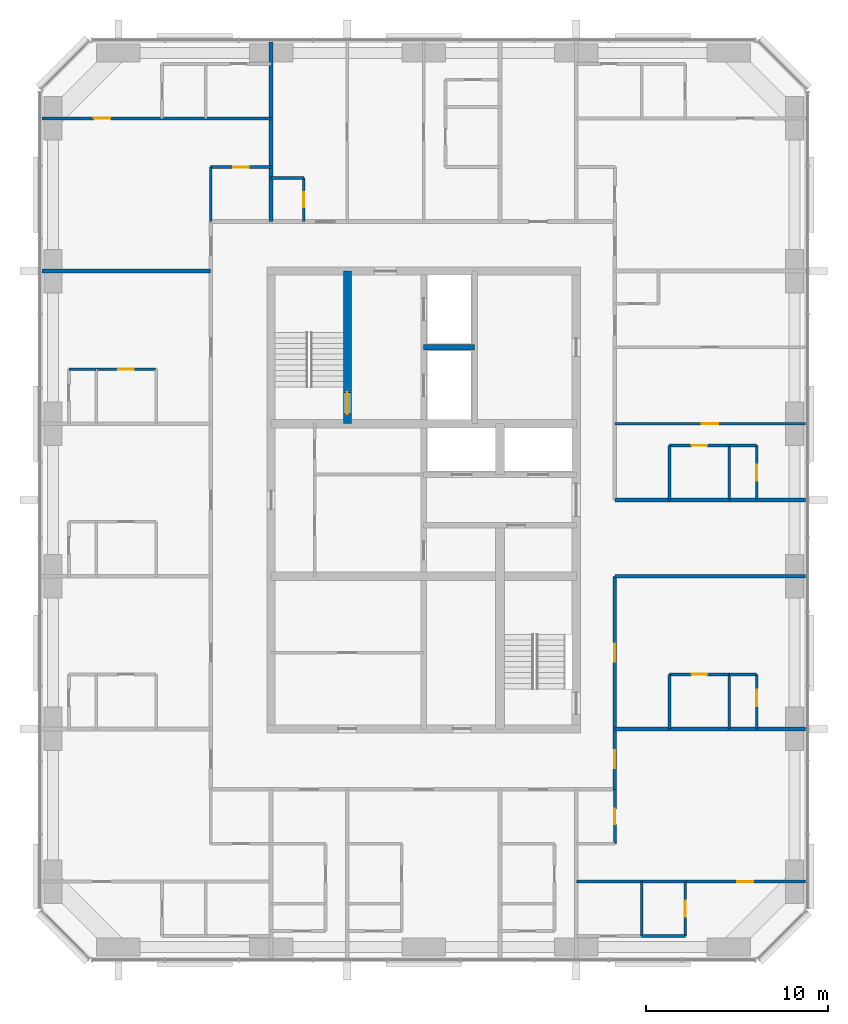
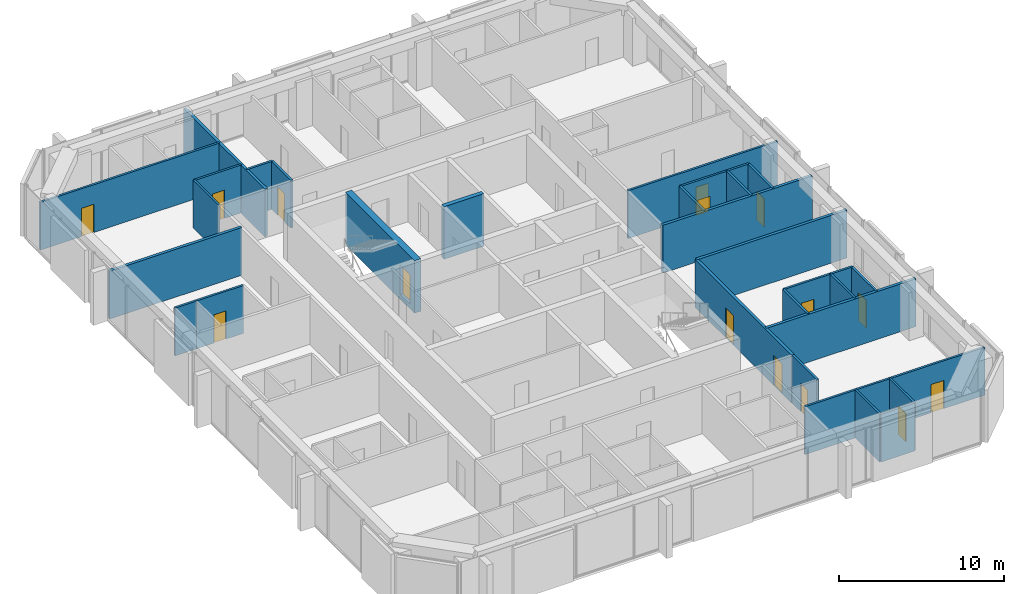
# One storey, part 9 of 12: 31 walls, 15 doors, 15 openings.
"""IFC4 building model written with IfcOpenShell, lengths in metres."""

from ifc_helpers import new_model, si_unit, direction, frame, frame_2d, origin, place, context, subcontext, project, spatial, rectangle, extrude, material, layer, layer_set, type_object, element, fill, save


model = new_model("IFC4")

# Units and contexts
model_context = context("Model", 3, precision=1e-05, world=origin(), true_north=direction((0.0, 1.0)))
body_context = subcontext(model_context, "Body", "Model", "MODEL_VIEW")
ifc_project = project(units=[si_unit("LENGTHUNIT", "METRE"), si_unit("AREAUNIT", "SQUARE_METRE"), si_unit("VOLUMEUNIT", "CUBIC_METRE"), si_unit("PLANEANGLEUNIT", "RADIAN"), si_unit("MASSUNIT", "GRAM", prefix="KILO")], contexts=[model_context])

# Site, building, storey
site_placement = place(None, origin())
site = spatial("IfcSite", under=ifc_project, at=site_placement, CompositionType="ELEMENT")
building_placement = place(site_placement, origin())
building = spatial("IfcBuilding", under=site, at=building_placement, Name="Dunama Terrace Hotel", CompositionType="ELEMENT")
storey_placement = place(building_placement, frame((0.0, 0.0, 245.10009765625)))
storey = spatial("IfcBuildingStorey", under=building, at=storey_placement, Name="L63", CompositionType="ELEMENT", Elevation=245.10009765625)

# Wall
ifc_material_1 = material(Name="Gypsum board partition", Category="masonry")
ifc_layer_1 = layer(ifc_material_1, 0.14990234375)
ifc_layer_set_1 = layer_set([ifc_layer_1], Name="Bathroom partition 150")
wall_type_1 = type_object("IfcWallType", Name="Bathroom partition 150", PredefinedType="PARTITIONING", material=ifc_layer_set_1)
wall_1_placement = place(storey_placement, frame((21.875, 44.72509765625, 0.0), z_axis=(0.0, 0.0, 1.0), x_axis=(0.0, 1.0, 0.0)))
element("IfcWall", 1, at=wall_1_placement, inside=storey, type_object=wall_type_1, Name="Bathroom partition 150 L63", PredefinedType="PARTITIONING", context=body_context, shape_type="SweptSolid", body=[
    extrude(rectangle(XDim=3.0, YDim=0.14990234375, at=frame_2d((1.5, 0.0))), origin(), (0.0, 0.0, 1.0), 3.5498046875),
])

# Wall, opening, door
wall_2_placement = place(storey_placement, frame((27.0, 44.72509765625, 0.0), z_axis=(0.0, 0.0, 1.0), x_axis=(0.0, 1.0, 0.0)))
wall_2 = element("IfcWall", 2, at=wall_2_placement, inside=storey, type_object=wall_type_1, Name="Bathroom partition 150 L63", PredefinedType="PARTITIONING", context=body_context, shape_type="SweptSolid", body=[
    extrude(rectangle(XDim=2.39990234375, YDim=0.14990234375, at=frame_2d((1.199951171875, 0.0))), origin(), (0.0, 0.0, 1.0), 3.5498046875),
])
opening_1_placement = place(wall_2_placement, frame((0.77490234375, 0.0, 0.0)))
opening_1 = element("IfcOpeningElement", 3, at=opening_1_placement, cuts=wall_2, Name="Opening L62-64-026", PredefinedType="OPENING", context=body_context, shape_type="SweptSolid", body=[
    extrude(rectangle(XDim=0.85009765625, YDim=2.10009765625, at=frame_2d((0.425048828125, 1.050048828125))), frame((0.0, 0.0849609375, 0.0), z_axis=(0.0, -1.0, 0.0), x_axis=(1.0, 0.0, 0.0)), (0.0, 0.0, 1.0), 0.169921875),
])
ifc_material_2 = material(Name="Timber door with steel frame", Category="steel")
door_type_1 = type_object("IfcDoorType", Name="Bathroom door 850", OperationType="SINGLE_SWING_LEFT", PredefinedType="DOOR", material=ifc_material_2)
door_1_placement = place(opening_1_placement, origin())
door_1 = element("IfcDoor", 4, at=door_1_placement, inside=storey, type_object=door_type_1, Name="Door to powder room L62-64-026, type D2", OperationType="SINGLE_SWING_LEFT", OverallHeight=2.10009765625, OverallWidth=0.85009765625, PredefinedType="DOOR", context=body_context, shape_type="SweptSolid", body=[
    extrude(rectangle(XDim=0.85009765625, YDim=2.10009765625, at=frame_2d((0.425048828125, 1.050048828125))), frame((0.0, 0.02490234375, 0.0), z_axis=(0.0, -1.0, 0.0), x_axis=(1.0, 0.0, 0.0)), (0.0, 0.0, 1.0), 0.050048828125),
])
fill(opening_1, door_1)

wall_3_placement = place(storey_placement, frame((44.125, 10.47509765625, 0.0), z_axis=(0.0, 0.0, 1.0), x_axis=(0.0, 1.0, 0.0)))
wall_3 = element("IfcWall", 5, at=wall_3_placement, inside=storey, type_object=wall_type_1, Name="Bathroom partition 150 L63", PredefinedType="PARTITIONING", context=body_context, shape_type="SweptSolid", body=[
    extrude(rectangle(XDim=3.0, YDim=0.14990234375, at=frame_2d((1.5, 0.0))), origin(), (0.0, 0.0, 1.0), 3.5498046875),
])
opening_2_placement = place(wall_3_placement, frame((1.074951171875, 0.0, 0.0)))
opening_2 = element("IfcOpeningElement", 6, at=opening_2_placement, cuts=wall_3, Name="Opening L62-64-047", PredefinedType="OPENING", context=body_context, shape_type="SweptSolid", body=[
    extrude(rectangle(XDim=0.85009765625, YDim=2.10009765625, at=frame_2d((0.425048828125, 1.050048828125))), frame((0.0, 0.0849609375, 0.0), z_axis=(0.0, -1.0, 0.0), x_axis=(1.0, 0.0, 0.0)), (0.0, 0.0, 1.0), 0.169921875),
])
door_2_placement = place(opening_2_placement, origin())
door_2 = element("IfcDoor", 7, at=door_2_placement, inside=storey, type_object=door_type_1, Name="Door to powder room L62-64-047, type D2", OperationType="SINGLE_SWING_RIGHT", OverallHeight=2.10009765625, OverallWidth=0.85009765625, PredefinedType="DOOR", context=body_context, shape_type="SweptSolid", body=[
    extrude(rectangle(XDim=0.85009765625, YDim=2.10009765625, at=frame_2d((0.425048828125, 1.050048828125))), frame((0.0, 0.02490234375, 0.0), z_axis=(0.0, -1.0, 0.0), x_axis=(1.0, 0.0, 0.0)), (0.0, 0.0, 1.0), 0.050048828125),
])
fill(opening_2, door_2)

# Walls
for number, where, z_axis, x_axis, name in (
    (8, (47.125, 16.800048828125, 0.0), (0.0, 0.0, 1.0), (0.0, 1.0, 0.0), "Bathroom partition 150 L63"),
    (9, (47.125, 29.39990234375, 0.0), (0.0, 0.0, 1.0), (0.0, 1.0, 0.0), "Bathroom partition 150 L63"),
):
    element("IfcWall", number, at=place(storey_placement, frame(where, z_axis=z_axis, x_axis=x_axis)), inside=storey, type_object=wall_type_1, Name=name, PredefinedType="PARTITIONING", context=body_context, shape_type="SweptSolid", body=[
        extrude(rectangle(XDim=3.0, YDim=0.14990234375, at=frame_2d((1.5, 0.0))), origin(), (0.0, 0.0, 1.0), 3.5498046875),
    ])

# Wall, opening, door
wall_4_placement = place(storey_placement, frame((47.125, 19.800048828125, 0.0), z_axis=(0.0, 0.0, 1.0), x_axis=(1.0, 0.0, 0.0)))
wall_4 = element("IfcWall", 10, at=wall_4_placement, inside=storey, type_object=wall_type_1, Name="Bathroom partition 150 L63", PredefinedType="PARTITIONING", context=body_context, shape_type="SweptSolid", body=[
    extrude(rectangle(XDim=3.300048828125, YDim=0.14990234375, at=frame_2d((1.64990234375, 0.0))), origin(), (0.0, 0.0, 1.0), 3.5498046875),
])
opening_3_placement = place(wall_4_placement, frame((1.22509765625, 0.0, 0.0)))
opening_3 = element("IfcOpeningElement", 11, at=opening_3_placement, cuts=wall_4, Name="Opening L62-64-017", PredefinedType="OPENING", context=body_context, shape_type="SweptSolid", body=[
    extrude(rectangle(XDim=0.85009765625, YDim=2.10009765625, at=frame_2d((0.425048828125, 1.050048828125))), frame((0.0, 0.0849609375, 0.0), z_axis=(0.0, -1.0, 0.0), x_axis=(1.0, 0.0, 0.0)), (0.0, 0.0, 1.0), 0.169921875),
])
door_3_placement = place(opening_3_placement, frame((0.85009765625, 0.0, 0.0), z_axis=(0.0, 0.0, 1.0), x_axis=(-1.0, 0.0, 0.0)))
door_3 = element("IfcDoor", 12, at=door_3_placement, inside=storey, type_object=door_type_1, Name="Door to en-suite bathroom L62-64-017, type D2", OperationType="SINGLE_SWING_LEFT", OverallHeight=2.10009765625, OverallWidth=0.85009765625, PredefinedType="DOOR", context=body_context, shape_type="SweptSolid", body=[
    extrude(rectangle(XDim=0.85009765625, YDim=2.10009765625, at=frame_2d((0.425048828125, 1.050048828125))), frame((0.0, 0.025146484375, 0.0), z_axis=(0.0, -1.0, 0.0), x_axis=(1.0, 0.0, 0.0)), (0.0, 0.0, 1.0), 0.050048828125),
])
fill(opening_3, door_3)

wall_5_placement = place(storey_placement, frame((47.125, 32.39990234375, 0.0), z_axis=(0.0, 0.0, 1.0), x_axis=(1.0, 0.0, 0.0)))
wall_5 = element("IfcWall", 13, at=wall_5_placement, inside=storey, type_object=wall_type_1, Name="Bathroom partition 150 L63", PredefinedType="PARTITIONING", context=body_context, shape_type="SweptSolid", body=[
    extrude(rectangle(XDim=3.300048828125, YDim=0.14990234375, at=frame_2d((1.64990234375, 0.0))), origin(), (0.0, 0.0, 1.0), 3.5498046875),
])
opening_4_placement = place(wall_5_placement, frame((1.22509765625, 0.0, 0.0)))
opening_4 = element("IfcOpeningElement", 14, at=opening_4_placement, cuts=wall_5, Name="Opening L62-64-023", PredefinedType="OPENING", context=body_context, shape_type="SweptSolid", body=[
    extrude(rectangle(XDim=0.85009765625, YDim=2.10009765625, at=frame_2d((0.425048828125, 1.050048828125))), frame((0.0, 0.0849609375, 0.0), z_axis=(0.0, -1.0, 0.0), x_axis=(1.0, 0.0, 0.0)), (0.0, 0.0, 1.0), 0.169921875),
])
door_4_placement = place(opening_4_placement, frame((0.85009765625, 0.0, 0.0), z_axis=(0.0, 0.0, 1.0), x_axis=(-1.0, 0.0, 0.0)))
door_4 = element("IfcDoor", 15, at=door_4_placement, inside=storey, type_object=door_type_1, Name="Door to en-suite bathroom L62-64-023, type D2", OperationType="SINGLE_SWING_RIGHT", OverallHeight=2.10009765625, OverallWidth=0.85009765625, PredefinedType="DOOR", context=body_context, shape_type="SweptSolid", body=[
    extrude(rectangle(XDim=0.85009765625, YDim=2.10009765625, at=frame_2d((0.425048828125, 1.050048828125))), frame((0.0, 0.025146484375, 0.0), z_axis=(0.0, -1.0, 0.0), x_axis=(1.0, 0.0, 0.0)), (0.0, 0.0, 1.0), 0.050048828125),
])
fill(opening_4, door_4)

wall_6_placement = place(storey_placement, frame((15.574951171875, 36.60009765625, 0.0), z_axis=(0.0, 0.0, 1.0), x_axis=(1.0, 0.0, 0.0)))
wall_6 = element("IfcWall", 16, at=wall_6_placement, inside=storey, type_object=wall_type_1, Name="Bathroom partition 150 L63", PredefinedType="PARTITIONING", context=body_context, shape_type="SweptSolid", body=[
    extrude(rectangle(XDim=3.300048828125, YDim=0.14990234375, at=frame_2d((1.64990234375, 0.0))), origin(), (0.0, 0.0, 1.0), 3.5498046875),
])
opening_5_placement = place(wall_6_placement, frame((1.22509765625, 0.0, 0.0)))
opening_5 = element("IfcOpeningElement", 17, at=opening_5_placement, cuts=wall_6, Name="Opening L62-64-039", PredefinedType="OPENING", context=body_context, shape_type="SweptSolid", body=[
    extrude(rectangle(XDim=0.85009765625, YDim=2.10009765625, at=frame_2d((0.425048828125, 1.050048828125))), frame((0.0, 0.0849609375, 0.0), z_axis=(0.0, -1.0, 0.0), x_axis=(1.0, 0.0, 0.0)), (0.0, 0.0, 1.0), 0.169921875),
])
door_5_placement = place(opening_5_placement, frame((0.85009765625, 0.0, 0.0), z_axis=(0.0, 0.0, 1.0), x_axis=(-1.0, 0.0, 0.0)))
door_5 = element("IfcDoor", 18, at=door_5_placement, inside=storey, type_object=door_type_1, Name="Door to en-suite bathroom L62-64-039, type D2", OperationType="SINGLE_SWING_LEFT", OverallHeight=2.10009765625, OverallWidth=0.85009765625, PredefinedType="DOOR", context=body_context, shape_type="SweptSolid", body=[
    extrude(rectangle(XDim=0.85009765625, YDim=2.10009765625, at=frame_2d((0.425048828125, 1.050048828125))), frame((0.0, 0.025146484375, 0.0), z_axis=(0.0, -1.0, 0.0), x_axis=(1.0, 0.0, 0.0)), (0.0, 0.0, 1.0), 0.050048828125),
])
fill(opening_5, door_5)

# Wall
wall_7_placement = place(storey_placement, frame((25.199951171875, 47.125, 0.0), z_axis=(0.0, 0.0, 1.0), x_axis=(1.0, 0.0, 0.0)))
element("IfcWall", 19, at=wall_7_placement, inside=storey, type_object=wall_type_1, Name="Bathroom partition 150 L63", PredefinedType="PARTITIONING", context=body_context, shape_type="SweptSolid", body=[
    extrude(rectangle(XDim=1.800048828125, YDim=0.14990234375, at=frame_2d((0.89990234375, 0.0))), origin(), (0.0, 0.0, 1.0), 3.5498046875),
])

# Wall, opening, door
wall_8_placement = place(storey_placement, frame((21.875, 47.72509765625, 0.0), z_axis=(0.0, 0.0, 1.0), x_axis=(1.0, 0.0, 0.0)))
wall_8 = element("IfcWall", 20, at=wall_8_placement, inside=storey, type_object=wall_type_1, Name="Bathroom partition 150 L63", PredefinedType="PARTITIONING", context=body_context, shape_type="SweptSolid", body=[
    extrude(rectangle(XDim=3.324951171875, YDim=0.14990234375, at=frame_2d((1.66259765625, 0.0))), origin(), (0.0, 0.0, 1.0), 3.5498046875),
])
opening_6_placement = place(wall_8_placement, frame((1.238037109375, 0.0, 0.0)))
opening_6 = element("IfcOpeningElement", 21, at=opening_6_placement, cuts=wall_8, Name="Opening L62-64-057", PredefinedType="OPENING", context=body_context, shape_type="SweptSolid", body=[
    extrude(rectangle(XDim=0.85009765625, YDim=2.10009765625, at=frame_2d((0.425048828125, 1.050048828125))), frame((0.0, 0.0849609375, 0.0), z_axis=(0.0, -1.0, 0.0), x_axis=(1.0, 0.0, 0.0)), (0.0, 0.0, 1.0), 0.169921875),
])
door_6_placement = place(opening_6_placement, frame((0.85009765625, 0.0, 0.0), z_axis=(0.0, 0.0, 1.0), x_axis=(-1.0, 0.0, 0.0)))
door_6 = element("IfcDoor", 22, at=door_6_placement, inside=storey, type_object=door_type_1, Name="Door to powder room L62-64-057, type D2", OperationType="SINGLE_SWING_LEFT", OverallHeight=2.10009765625, OverallWidth=0.85009765625, PredefinedType="DOOR", context=body_context, shape_type="SweptSolid", body=[
    extrude(rectangle(XDim=0.85009765625, YDim=2.10009765625, at=frame_2d((0.425048828125, 1.050048828125))), frame((0.0, 0.025146484375, 0.0), z_axis=(0.0, -1.0, 0.0), x_axis=(1.0, 0.0, 0.0)), (0.0, 0.0, 1.0), 0.050048828125),
])
fill(opening_6, door_6)

# Wall
ifc_material_3 = material(Name="Concrete C50/60", Category="concrete")
ifc_layer_2 = layer(ifc_material_3, 0.300048828125)
ifc_layer_set_2 = layer_set([ifc_layer_2], Name="Core inner wall 300")
wall_type_2 = type_object("IfcWallType", Name="Core inner wall 300", PredefinedType="SHEAR", material=ifc_layer_set_2)
wall_9_placement = place(storey_placement, frame((33.60009765625, 37.800048828125, -0.35009765625), z_axis=(0.0, 0.0, 1.0), x_axis=(1.0, 0.0, 0.0)))
element("IfcWall", 23, at=wall_9_placement, inside=storey, type_object=wall_type_2, Name="Core inner wall 300 L63", PredefinedType="SHEAR", context=body_context, shape_type="SweptSolid", body=[
    extrude(rectangle(XDim=2.7998046875, YDim=0.300048828125, at=frame_2d((1.39990234375, 0.0))), origin(), (0.0, 0.0, 1.0), 3.89990234375),
])

# Wall, opening, door
ifc_material_4 = material(Name="Concrete C50/60", Category="concrete")
ifc_layer_3 = layer(ifc_material_4, 0.449951171875)
ifc_layer_set_3 = layer_set([ifc_layer_3], Name="Core inner wall 450")
wall_type_3 = type_object("IfcWallType", Name="Core inner wall 450", PredefinedType="SHEAR", material=ifc_layer_set_3)
wall_10_placement = place(storey_placement, frame((29.39990234375, 33.60009765625, -0.35009765625), z_axis=(0.0, 0.0, 1.0), x_axis=(0.0, 1.0, 0.0)))
wall_10 = element("IfcWall", 24, at=wall_10_placement, inside=storey, type_object=wall_type_3, Name="Core inner wall 450 L63", PredefinedType="SHEAR", context=body_context, shape_type="SweptSolid", body=[
    extrude(rectangle(XDim=8.39990234375, YDim=0.449951171875, at=frame_2d((4.199951171875, 0.0))), origin(), (0.0, 0.0, 1.0), 3.89990234375),
])
opening_7_placement = place(wall_10_placement, frame((0.52490234375, 0.0, 0.35009765625)))
opening_7 = element("IfcOpeningElement", 25, at=opening_7_placement, cuts=wall_10, Name="Opening L62-64-001", PredefinedType="OPENING", context=body_context, shape_type="SweptSolid", body=[
    extrude(rectangle(XDim=1.199951171875, YDim=2.199951171875, at=frame_2d((0.60009765625, 1.10009765625))), frame((0.0, 0.23486328125, 0.0), z_axis=(0.0, -1.0, 0.0), x_axis=(1.0, 0.0, 0.0)), (0.0, 0.0, 1.0), 0.469970703125),
])
ifc_material_5 = material(Name="Timber door with steel frame", Category="steel")
door_type_2 = type_object("IfcDoorType", Name="Stair door 1200", OperationType="SINGLE_SWING_LEFT", PredefinedType="DOOR", material=ifc_material_5)
door_7_placement = place(opening_7_placement, origin())
door_7 = element("IfcDoor", 26, at=door_7_placement, inside=storey, type_object=door_type_2, Name="Stair door ST1 L62-64-001, type D5", OperationType="SINGLE_SWING_LEFT", OverallHeight=2.199951171875, OverallWidth=1.199951171875, PredefinedType="DOOR", context=body_context, shape_type="SweptSolid", body=[
    extrude(rectangle(XDim=1.199951171875, YDim=2.199951171875, at=frame_2d((0.60009765625, 1.10009765625))), frame((0.0, 0.02490234375, 0.0), z_axis=(0.0, -1.0, 0.0), x_axis=(1.0, 0.0, 0.0)), (0.0, 0.0, 1.0), 0.050048828125),
])
fill(opening_7, door_7)

# Wall
ifc_material_6 = material(Name="Concrete blockwork", Category="masonry")
ifc_layer_4 = layer(ifc_material_6, 0.199951171875)
ifc_layer_set_4 = layer_set([ifc_layer_4], Name="Corridor partition 200")
wall_type_4 = type_object("IfcWallType", Name="Corridor partition 200", PredefinedType="PARTITIONING", material=ifc_layer_set_4)
wall_11_placement = place(storey_placement, frame((44.125, 29.39990234375, 0.0), z_axis=(0.0, 0.0, 1.0), x_axis=(1.0, 0.0, 0.0)))
element("IfcWall", 27, at=wall_11_placement, inside=storey, type_object=wall_type_4, Name="Corridor partition 200 L63", PredefinedType="PARTITIONING", context=body_context, shape_type="SweptSolid", body=[
    extrude(rectangle(XDim=10.492919921875, YDim=0.199951171875, at=frame_2d((5.24658203125, 0.0))), origin(), (0.0, 0.0, 1.0), 3.5498046875),
])

# Wall, openings, doors
wall_12_placement = place(storey_placement, frame((44.125, 25.199951171875, 0.0), z_axis=(0.0, 0.0, 1.0), x_axis=(0.0, -1.0, 0.0)))
wall_12 = element("IfcWall", 28, at=wall_12_placement, inside=storey, type_object=wall_type_4, Name="Corridor partition 200 L63", PredefinedType="PARTITIONING", context=body_context, shape_type="SweptSolid", body=[
    extrude(rectangle(XDim=11.724853515625, YDim=0.199951171875, at=frame_2d((5.8623046875, 0.0))), origin(), (0.0, 0.0, 1.0), 3.5498046875),
])
opening_8_placement = place(wall_12_placement, frame((3.699951171875, 0.0, 0.0)))
opening_8 = element("IfcOpeningElement", 29, at=opening_8_placement, cuts=wall_12, Name="Opening L62-64-016", PredefinedType="OPENING", context=body_context, shape_type="SweptSolid", body=[
    extrude(rectangle(XDim=1.0, YDim=2.199951171875, at=frame_2d((0.5, 1.10009765625))), frame((0.0, 0.10986328125, 0.0), z_axis=(0.0, -1.0, 0.0), x_axis=(1.0, 0.0, 0.0)), (0.0, 0.0, 1.0), 0.219970703125),
])
opening_9_placement = place(wall_12_placement, frame((9.56298828125, 0.0, 0.0)))
opening_9 = element("IfcOpeningElement", 30, at=opening_9_placement, cuts=wall_12, Name="Opening L62-64-046", PredefinedType="OPENING", context=body_context, shape_type="SweptSolid", body=[
    extrude(rectangle(XDim=1.0, YDim=2.199951171875, at=frame_2d((0.5, 1.10009765625))), frame((0.0, 0.10986328125, 0.0), z_axis=(0.0, -1.0, 0.0), x_axis=(1.0, 0.0, 0.0)), (0.0, 0.0, 1.0), 0.219970703125),
])
ifc_material_7 = material(Name="Timber door with steel frame", Category="steel")
door_type_3 = type_object("IfcDoorType", Name="Guest room door 1000", OperationType="SINGLE_SWING_LEFT", PredefinedType="DOOR", material=ifc_material_7)
door_8_placement = place(opening_8_placement, origin())
door_8 = element("IfcDoor", 31, at=door_8_placement, inside=storey, type_object=door_type_3, Name="Door to junior suite L62-64-016, type D1", OperationType="SINGLE_SWING_LEFT", OverallHeight=2.199951171875, OverallWidth=1.0, PredefinedType="DOOR", context=body_context, shape_type="SweptSolid", body=[
    extrude(rectangle(XDim=1.0, YDim=2.199951171875, at=frame_2d((0.5, 1.10009765625))), frame((0.0, 0.02490234375, 0.0), z_axis=(0.0, -1.0, 0.0), x_axis=(1.0, 0.0, 0.0)), (0.0, 0.0, 1.0), 0.050048828125),
])
fill(opening_8, door_8)
door_9_placement = place(opening_9_placement, origin())
door_9 = element("IfcDoor", 32, at=door_9_placement, inside=storey, type_object=door_type_3, Name="Door to grand corner suite living room L62-64-046, type D1", OperationType="SINGLE_SWING_RIGHT", OverallHeight=2.199951171875, OverallWidth=1.0, PredefinedType="DOOR", context=body_context, shape_type="SweptSolid", body=[
    extrude(rectangle(XDim=1.0, YDim=2.199951171875, at=frame_2d((0.5, 1.10009765625))), frame((0.0, 0.02490234375, 0.0), z_axis=(0.0, -1.0, 0.0), x_axis=(1.0, 0.0, 0.0)), (0.0, 0.0, 1.0), 0.050048828125),
])
fill(opening_9, door_9)

# Walls
wall_13_placement = place(storey_placement, frame((54.617919921875, 25.199951171875, 0.0), z_axis=(0.0, 0.0, 1.0), x_axis=(-1.0, 0.0, 0.0)))
element("IfcWall", 33, at=wall_13_placement, inside=storey, type_object=wall_type_4, Name="Corridor partition 200 L63", PredefinedType="PARTITIONING", context=body_context, shape_type="SweptSolid", body=[
    extrude(rectangle(XDim=10.492919921875, YDim=0.199951171875, at=frame_2d((5.24658203125, 0.0))), origin(), (0.0, 0.0, 1.0), 3.5498046875),
])
ifc_material_8 = material(Name="Concrete blockwork", Category="masonry")
ifc_layer_5 = layer(ifc_material_8, 0.199951171875)
ifc_layer_set_5 = layer_set([ifc_layer_5], Name="Party wall 200")
wall_type_5 = type_object("IfcWallType", Name="Party wall 200", PredefinedType="PARTITIONING", material=ifc_layer_set_5)
wall_14_placement = place(storey_placement, frame((25.199951171875, 44.72509765625, 0.0), z_axis=(0.0, 0.0, 1.0), x_axis=(0.0, 1.0, 0.0)))
element("IfcWall", 34, at=wall_14_placement, inside=storey, type_object=wall_type_5, Name="Party wall 200 L63", PredefinedType="PARTITIONING", context=body_context, shape_type="SweptSolid", body=[
    extrude(rectangle(XDim=9.892822265625, YDim=0.199951171875, at=frame_2d((4.9462890625, 0.0))), origin(), (0.0, 0.0, 1.0), 3.5498046875),
])
wall_15_placement = place(storey_placement, frame((44.125, 16.800048828125, 0.0), z_axis=(0.0, 0.0, 1.0), x_axis=(1.0, 0.0, 0.0)))
element("IfcWall", 35, at=wall_15_placement, inside=storey, type_object=wall_type_5, Name="Party wall 200 L63", PredefinedType="PARTITIONING", context=body_context, shape_type="SweptSolid", body=[
    extrude(rectangle(XDim=10.492919921875, YDim=0.199951171875, at=frame_2d((5.24658203125, 0.0))), origin(), (0.0, 0.0, 1.0), 3.5498046875),
])
wall_16_placement = place(storey_placement, frame((12.58203125, 42.0, 0.0), z_axis=(0.0, 0.0, 1.0), x_axis=(1.0, 0.0, 0.0)))
element("IfcWall", 36, at=wall_16_placement, inside=storey, type_object=wall_type_5, Name="Party wall 200 L63", PredefinedType="PARTITIONING", context=body_context, shape_type="SweptSolid", body=[
    extrude(rectangle(XDim=9.29296875, YDim=0.199951171875, at=frame_2d((4.646484375, 0.0))), origin(), (0.0, 0.0, 1.0), 3.5498046875),
])
ifc_material_9 = material(Name="Gypsum board partition", Category="masonry")
ifc_layer_6 = layer(ifc_material_9, 0.14990234375)
ifc_layer_set_6 = layer_set([ifc_layer_6], Name="Room partition 150")
wall_type_6 = type_object("IfcWallType", Name="Room partition 150", PredefinedType="PARTITIONING", material=ifc_layer_set_6)
wall_17_placement = place(storey_placement, frame((45.60009765625, 5.39990234375, 0.0), z_axis=(0.0, 0.0, 1.0), x_axis=(0.0, 1.0, 0.0)))
element("IfcWall", 37, at=wall_17_placement, inside=storey, type_object=wall_type_6, Name="Room partition 150 L63", PredefinedType="PARTITIONING", context=body_context, shape_type="SweptSolid", body=[
    extrude(rectangle(XDim=3.0, YDim=0.14990234375, at=frame_2d((1.5, 0.0))), origin(), (0.0, 0.0, 1.0), 3.5498046875),
])

# Wall, opening, door
wall_18_placement = place(storey_placement, frame((48.0, 5.39990234375, 0.0), z_axis=(0.0, 0.0, 1.0), x_axis=(0.0, 1.0, 0.0)))
wall_18 = element("IfcWall", 38, at=wall_18_placement, inside=storey, type_object=wall_type_6, Name="Room partition 150 L63", PredefinedType="PARTITIONING", context=body_context, shape_type="SweptSolid", body=[
    extrude(rectangle(XDim=3.0, YDim=0.14990234375, at=frame_2d((1.5, 0.0))), origin(), (0.0, 0.0, 1.0), 3.5498046875),
])
opening_10_placement = place(wall_18_placement, frame((1.050048828125, 0.0, 0.0)))
opening_10 = element("IfcOpeningElement", 39, at=opening_10_placement, cuts=wall_18, Name="Opening L62-64-050", PredefinedType="OPENING", context=body_context, shape_type="SweptSolid", body=[
    extrude(rectangle(XDim=0.89990234375, YDim=2.10009765625, at=frame_2d((0.449951171875, 1.050048828125))), frame((0.0, 0.0849609375, 0.0), z_axis=(0.0, -1.0, 0.0), x_axis=(1.0, 0.0, 0.0)), (0.0, 0.0, 1.0), 0.169921875),
])
ifc_material_10 = material(Name="Timber door with steel frame", Category="steel")
door_type_4 = type_object("IfcDoorType", Name="Suite internal door 900", OperationType="SINGLE_SWING_LEFT", PredefinedType="DOOR", material=ifc_material_10)
door_10_placement = place(opening_10_placement, origin())
door_10 = element("IfcDoor", 40, at=door_10_placement, inside=storey, type_object=door_type_4, Name="Door to dressing room L62-64-050, type D16", OperationType="SINGLE_SWING_LEFT", OverallHeight=2.10009765625, OverallWidth=0.89990234375, PredefinedType="DOOR", context=body_context, shape_type="SweptSolid", body=[
    extrude(rectangle(XDim=0.89990234375, YDim=2.10009765625, at=frame_2d((0.449951171875, 1.050048828125))), frame((0.0, 0.02490234375, 0.0), z_axis=(0.0, -1.0, 0.0), x_axis=(1.0, 0.0, 0.0)), (0.0, 0.0, 1.0), 0.050048828125),
])
fill(opening_10, door_10)

# Walls
for number, where, z_axis, x_axis, name in (
    (41, (50.425048828125, 16.800048828125, 0.0), (0.0, 0.0, 1.0), (0.0, 1.0, 0.0), "Room partition 150 L63"),
    (42, (50.425048828125, 29.39990234375, 0.0), (0.0, 0.0, 1.0), (0.0, 1.0, 0.0), "Room partition 150 L63"),
):
    element("IfcWall", number, at=place(storey_placement, frame(where, z_axis=z_axis, x_axis=x_axis)), inside=storey, type_object=wall_type_6, Name=name, PredefinedType="PARTITIONING", context=body_context, shape_type="SweptSolid", body=[
        extrude(rectangle(XDim=3.0, YDim=0.14990234375, at=frame_2d((1.5, 0.0))), origin(), (0.0, 0.0, 1.0), 3.5498046875),
    ])

# Wall, opening, door
wall_19_placement = place(storey_placement, frame((51.925048828125, 16.800048828125, 0.0), z_axis=(0.0, 0.0, 1.0), x_axis=(0.0, 1.0, 0.0)))
wall_19 = element("IfcWall", 43, at=wall_19_placement, inside=storey, type_object=wall_type_6, Name="Room partition 150 L63", PredefinedType="PARTITIONING", context=body_context, shape_type="SweptSolid", body=[
    extrude(rectangle(XDim=3.0, YDim=0.14990234375, at=frame_2d((1.5, 0.0))), origin(), (0.0, 0.0, 1.0), 3.5498046875),
])
opening_11_placement = place(wall_19_placement, frame((1.25, 0.0, 0.0)))
opening_11 = element("IfcOpeningElement", 44, at=opening_11_placement, cuts=wall_19, Name="Opening L62-64-018", PredefinedType="OPENING", context=body_context, shape_type="SweptSolid", body=[
    extrude(rectangle(XDim=0.89990234375, YDim=2.10009765625, at=frame_2d((0.449951171875, 1.050048828125))), frame((0.0, 0.0849609375, 0.0), z_axis=(0.0, -1.0, 0.0), x_axis=(1.0, 0.0, 0.0)), (0.0, 0.0, 1.0), 0.169921875),
])
door_11_placement = place(opening_11_placement, origin())
door_11 = element("IfcDoor", 45, at=door_11_placement, inside=storey, type_object=door_type_4, Name="Door to walk-in wardrobe L62-64-018, type D16", OperationType="SINGLE_SWING_LEFT", OverallHeight=2.10009765625, OverallWidth=0.89990234375, PredefinedType="DOOR", context=body_context, shape_type="SweptSolid", body=[
    extrude(rectangle(XDim=0.89990234375, YDim=2.10009765625, at=frame_2d((0.449951171875, 1.050048828125))), frame((0.0, 0.02490234375, 0.0), z_axis=(0.0, -1.0, 0.0), x_axis=(1.0, 0.0, 0.0)), (0.0, 0.0, 1.0), 0.050048828125),
])
fill(opening_11, door_11)

wall_20_placement = place(storey_placement, frame((51.925048828125, 29.39990234375, 0.0), z_axis=(0.0, 0.0, 1.0), x_axis=(0.0, 1.0, 0.0)))
wall_20 = element("IfcWall", 46, at=wall_20_placement, inside=storey, type_object=wall_type_6, Name="Room partition 150 L63", PredefinedType="PARTITIONING", context=body_context, shape_type="SweptSolid", body=[
    extrude(rectangle(XDim=3.0, YDim=0.14990234375, at=frame_2d((1.5, 0.0))), origin(), (0.0, 0.0, 1.0), 3.5498046875),
])
opening_12_placement = place(wall_20_placement, frame((1.050048828125, 0.0, 0.0)))
opening_12 = element("IfcOpeningElement", 47, at=opening_12_placement, cuts=wall_20, Name="Opening L62-64-024", PredefinedType="OPENING", context=body_context, shape_type="SweptSolid", body=[
    extrude(rectangle(XDim=0.89990234375, YDim=2.10009765625, at=frame_2d((0.449951171875, 1.050048828125))), frame((0.0, 0.0849609375, 0.0), z_axis=(0.0, -1.0, 0.0), x_axis=(1.0, 0.0, 0.0)), (0.0, 0.0, 1.0), 0.169921875),
])
door_12_placement = place(opening_12_placement, origin())
door_12 = element("IfcDoor", 48, at=door_12_placement, inside=storey, type_object=door_type_4, Name="Door to walk-in wardrobe L62-64-024, type D16", OperationType="SINGLE_SWING_LEFT", OverallHeight=2.10009765625, OverallWidth=0.89990234375, PredefinedType="DOOR", context=body_context, shape_type="SweptSolid", body=[
    extrude(rectangle(XDim=0.89990234375, YDim=2.10009765625, at=frame_2d((0.449951171875, 1.050048828125))), frame((0.0, 0.02490234375, 0.0), z_axis=(0.0, -1.0, 0.0), x_axis=(1.0, 0.0, 0.0)), (0.0, 0.0, 1.0), 0.050048828125),
])
fill(opening_12, door_12)

# Wall
wall_21_placement = place(storey_placement, frame((45.60009765625, 5.39990234375, 0.0), z_axis=(0.0, 0.0, 1.0), x_axis=(1.0, 0.0, 0.0)))
element("IfcWall", 49, at=wall_21_placement, inside=storey, type_object=wall_type_6, Name="Room partition 150 L63", PredefinedType="PARTITIONING", context=body_context, shape_type="SweptSolid", body=[
    extrude(rectangle(XDim=2.39990234375, YDim=0.14990234375, at=frame_2d((1.199951171875, 0.0))), origin(), (0.0, 0.0, 1.0), 3.5498046875),
])

# Wall, opening, door
wall_22_placement = place(storey_placement, frame((42.0, 8.39990234375, 0.0), z_axis=(0.0, 0.0, 1.0), x_axis=(1.0, 0.0, 0.0)))
wall_22 = element("IfcWall", 50, at=wall_22_placement, inside=storey, type_object=wall_type_6, Name="Room partition 150 L63", PredefinedType="PARTITIONING", context=body_context, shape_type="SweptSolid", body=[
    extrude(rectangle(XDim=12.617919921875, YDim=0.14990234375, at=frame_2d((6.30908203125, 0.0))), origin(), (0.0, 0.0, 1.0), 3.5498046875),
])
opening_13_placement = place(wall_22_placement, frame((8.85009765625, 0.0, 0.0)))
opening_13 = element("IfcOpeningElement", 51, at=opening_13_placement, cuts=wall_22, Name="Opening L62-64-048", PredefinedType="OPENING", context=body_context, shape_type="SweptSolid", body=[
    extrude(rectangle(XDim=0.89990234375, YDim=2.10009765625, at=frame_2d((0.449951171875, 1.050048828125))), frame((0.0, 0.0849609375, 0.0), z_axis=(0.0, -1.0, 0.0), x_axis=(1.0, 0.0, 0.0)), (0.0, 0.0, 1.0), 0.169921875),
])
door_13_placement = place(opening_13_placement, frame((0.89990234375, 0.0, 0.0), z_axis=(0.0, 0.0, 1.0), x_axis=(-1.0, 0.0, 0.0)))
door_13 = element("IfcDoor", 52, at=door_13_placement, inside=storey, type_object=door_type_4, Name="Door to grand corner suite bedroom L62-64-048, type D16", OperationType="SINGLE_SWING_LEFT", OverallHeight=2.10009765625, OverallWidth=0.89990234375, PredefinedType="DOOR", context=body_context, shape_type="SweptSolid", body=[
    extrude(rectangle(XDim=0.89990234375, YDim=2.10009765625, at=frame_2d((0.449951171875, 1.050048828125))), frame((0.0, 0.025146484375, 0.0), z_axis=(0.0, -1.0, 0.0), x_axis=(1.0, 0.0, 0.0)), (0.0, 0.0, 1.0), 0.050048828125),
])
fill(opening_13, door_13)

# Walls
for number, where, z_axis, x_axis, name in (
    (53, (50.425048828125, 19.800048828125, 0.0), (0.0, 0.0, 1.0), (1.0, 0.0, 0.0), "Room partition 150 L63"),
    (54, (50.425048828125, 32.39990234375, 0.0), (0.0, 0.0, 1.0), (1.0, 0.0, 0.0), "Room partition 150 L63"),
):
    element("IfcWall", number, at=place(storey_placement, frame(where, z_axis=z_axis, x_axis=x_axis)), inside=storey, type_object=wall_type_6, Name=name, PredefinedType="PARTITIONING", context=body_context, shape_type="SweptSolid", body=[
        extrude(rectangle(XDim=1.5, YDim=0.14990234375, at=frame_2d((0.75, 0.0))), origin(), (0.0, 0.0, 1.0), 3.5498046875),
    ])

# Wall, opening, door
wall_23_placement = place(storey_placement, frame((44.125, 33.60009765625, 0.0), z_axis=(0.0, 0.0, 1.0), x_axis=(1.0, 0.0, 0.0)))
wall_23 = element("IfcWall", 55, at=wall_23_placement, inside=storey, type_object=wall_type_6, Name="Room partition 150 L63", PredefinedType="PARTITIONING", context=body_context, shape_type="SweptSolid", body=[
    extrude(rectangle(XDim=10.492919921875, YDim=0.14990234375, at=frame_2d((5.24658203125, 0.0))), origin(), (0.0, 0.0, 1.0), 3.5498046875),
])
opening_14_placement = place(wall_23_placement, frame((4.787109375, 0.0, 0.0)))
opening_14 = element("IfcOpeningElement", 56, at=opening_14_placement, cuts=wall_23, Name="Opening L62-64-022", PredefinedType="OPENING", context=body_context, shape_type="SweptSolid", body=[
    extrude(rectangle(XDim=0.89990234375, YDim=2.10009765625, at=frame_2d((0.449951171875, 1.050048828125))), frame((0.0, 0.0849609375, 0.0), z_axis=(0.0, -1.0, 0.0), x_axis=(1.0, 0.0, 0.0)), (0.0, 0.0, 1.0), 0.169921875),
])
door_14_placement = place(opening_14_placement, frame((0.89990234375, 0.0, 0.0), z_axis=(0.0, 0.0, 1.0), x_axis=(-1.0, 0.0, 0.0)))
door_14 = element("IfcDoor", 57, at=door_14_placement, inside=storey, type_object=door_type_4, Name="Door to ambassador suite bedroom L62-64-022, type D16", OperationType="SINGLE_SWING_RIGHT", OverallHeight=2.10009765625, OverallWidth=0.89990234375, PredefinedType="DOOR", context=body_context, shape_type="SweptSolid", body=[
    extrude(rectangle(XDim=0.89990234375, YDim=2.10009765625, at=frame_2d((0.449951171875, 1.050048828125))), frame((0.0, 0.025146484375, 0.0), z_axis=(0.0, -1.0, 0.0), x_axis=(1.0, 0.0, 0.0)), (0.0, 0.0, 1.0), 0.050048828125),
])
fill(opening_14, door_14)

# Wall
wall_24_placement = place(storey_placement, frame((14.074951171875, 36.60009765625, 0.0), z_axis=(0.0, 0.0, 1.0), x_axis=(1.0, 0.0, 0.0)))
element("IfcWall", 58, at=wall_24_placement, inside=storey, type_object=wall_type_6, Name="Room partition 150 L63", PredefinedType="PARTITIONING", context=body_context, shape_type="SweptSolid", body=[
    extrude(rectangle(XDim=1.5, YDim=0.14990234375, at=frame_2d((0.75, 0.0))), origin(), (0.0, 0.0, 1.0), 3.5498046875),
])

# Wall, opening, door
wall_25_placement = place(storey_placement, frame((12.58203125, 50.39990234375, 0.0), z_axis=(0.0, 0.0, 1.0), x_axis=(1.0, 0.0, 0.0)))
wall_25 = element("IfcWall", 59, at=wall_25_placement, inside=storey, type_object=wall_type_6, Name="Room partition 150 L63", PredefinedType="PARTITIONING", context=body_context, shape_type="SweptSolid", body=[
    extrude(rectangle(XDim=12.617919921875, YDim=0.14990234375, at=frame_2d((6.30908203125, 0.0))), origin(), (0.0, 0.0, 1.0), 3.5498046875),
])
opening_15_placement = place(wall_25_placement, frame((2.867919921875, 0.0, 0.0)))
opening_15 = element("IfcOpeningElement", 60, at=opening_15_placement, cuts=wall_25, Name="Opening L62-64-058", PredefinedType="OPENING", context=body_context, shape_type="SweptSolid", body=[
    extrude(rectangle(XDim=0.89990234375, YDim=2.10009765625, at=frame_2d((0.449951171875, 1.050048828125))), frame((0.0, 0.0849609375, 0.0), z_axis=(0.0, -1.0, 0.0), x_axis=(1.0, 0.0, 0.0)), (0.0, 0.0, 1.0), 0.169921875),
])
door_15_placement = place(opening_15_placement, origin())
door_15 = element("IfcDoor", 61, at=door_15_placement, inside=storey, type_object=door_type_4, Name="Door to grand corner suite bedroom L62-64-058, type D16", OperationType="SINGLE_SWING_LEFT", OverallHeight=2.10009765625, OverallWidth=0.89990234375, PredefinedType="DOOR", context=body_context, shape_type="SweptSolid", body=[
    extrude(rectangle(XDim=0.89990234375, YDim=2.10009765625, at=frame_2d((0.449951171875, 1.050048828125))), frame((0.0, 0.02490234375, 0.0), z_axis=(0.0, -1.0, 0.0), x_axis=(1.0, 0.0, 0.0)), (0.0, 0.0, 1.0), 0.050048828125),
])
fill(opening_15, door_15)

save(model, "model.ifc")
